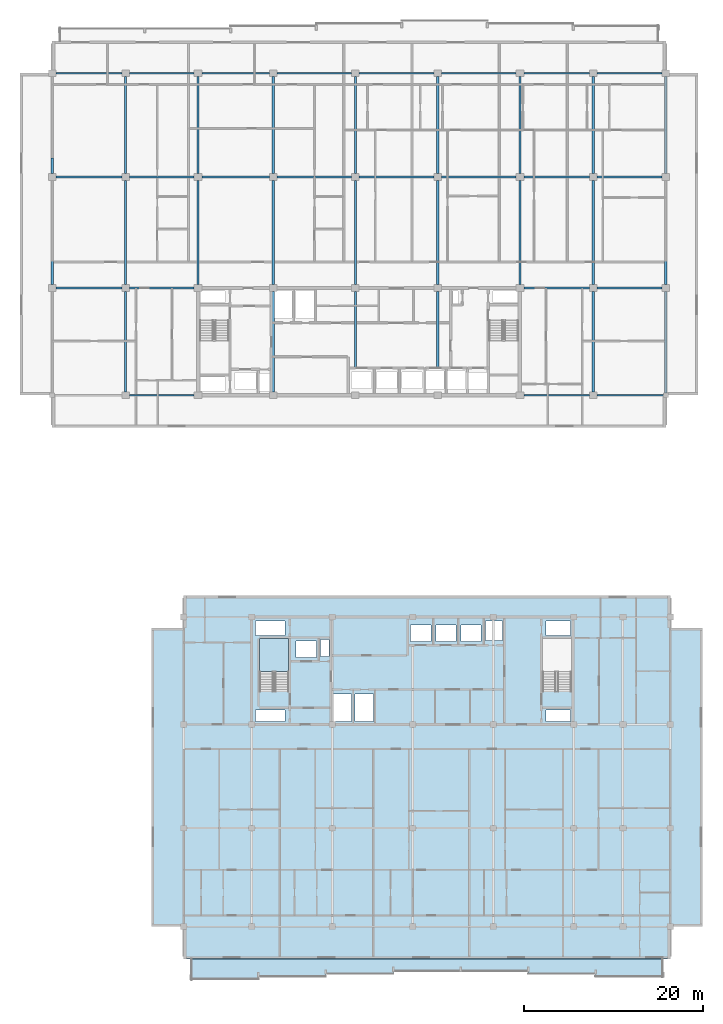
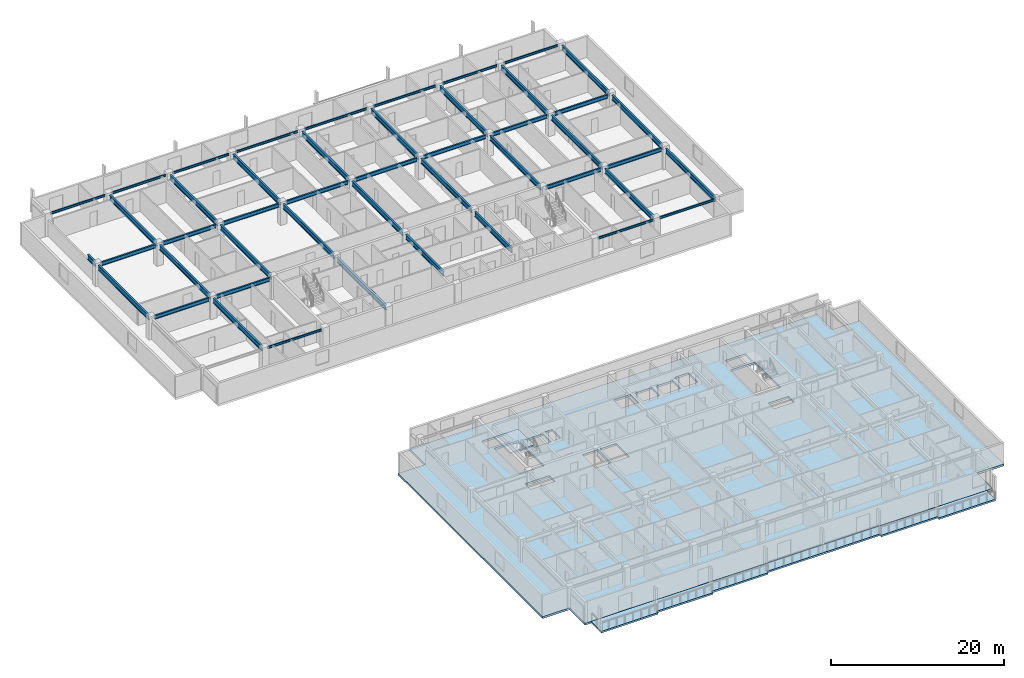
# One storey, part 2 of 21: 47 beams, 3 slabs, 1 element without a shape of its own.
"""IFC4 building model written with IfcOpenShell, lengths in metres."""

from ifc_helpers import new_model, si_unit, direction, frame, origin, origin_2d, place, context, subcontext, project, spatial, polyline, i_section, outline, extrude, material, layer, layer_set, material_profile, profile_set, type_object, element, aggregate, save


model = new_model("IFC4")

# Units and contexts
model_context = context("Model", 3, precision=1e-05, world=origin(), true_north=direction((0.0, 1.0)))
body_context = subcontext(model_context, "Body", "Model", "MODEL_VIEW")
ifc_project = project(units=[si_unit("LENGTHUNIT", "METRE"), si_unit("AREAUNIT", "SQUARE_METRE"), si_unit("VOLUMEUNIT", "CUBIC_METRE"), si_unit("PLANEANGLEUNIT", "RADIAN"), si_unit("MASSUNIT", "GRAM", prefix="KILO")], contexts=[model_context])

# Site, building, storey
site_placement = place(None, origin())
site = spatial("IfcSite", under=ifc_project, at=site_placement, CompositionType="ELEMENT")
building_placement = place(site_placement, origin())
building = spatial("IfcBuilding", under=site, at=building_placement, Name="Korimba Cascade Residences", CompositionType="ELEMENT")
storey_placement = place(building_placement, frame((0.0, 0.0, 175.10009765625)))
storey = spatial("IfcBuildingStorey", under=building, at=storey_placement, Name="L50", CompositionType="ELEMENT", Elevation=175.10009765625)

# Beams
ifc_material_1 = material(Name="Steel S355", Category="steel")
ifc_material_profile_1 = material_profile(ifc_material_1, i_section(OverallWidth=0.165771484375, OverallDepth=0.306640625, WebThickness=0.006591796875, FlangeThickness=0.01171875, FilletRadius=0.0087890625, at=origin_2d()), Name="Steel S355")
ifc_profile_set_1 = profile_set([ifc_material_profile_1], Name="Steel S355")
beam_type_1 = type_object("IfcBeamType", Name="BM-STL-UB305", PredefinedType="SPANDREL", material=ifc_profile_set_1)
beam_1_placement = place(storey_placement, frame((68.425048828125, 55.199951171875, 2.816650390625), z_axis=(1.0, 0.0, 0.0), x_axis=(0.0, 1.0, 0.0)))
element("IfcBeam", 1, at=beam_1_placement, inside=storey, type_object=beam_type_1, Name="L50 T1 E-W Girder Y1 Bay 2", PredefinedType="SPANDREL", context=body_context, shape_type="SweptSolid", body=[
    extrude(i_section(OverallWidth=0.165771484375, OverallDepth=0.306640625, WebThickness=0.006591796875, FlangeThickness=0.01171875, FilletRadius=0.0087890625, at=origin_2d()), origin(), (0.0, 0.0, 1.0), 7.25),
])
beam_2_placement = place(storey_placement, frame((112.52490234375, 55.199951171875, 2.816650390625), z_axis=(1.0, 0.0, 0.0), x_axis=(0.0, 1.0, 0.0)))
element("IfcBeam", 2, at=beam_2_placement, inside=storey, type_object=beam_type_1, Name="L50 T1 E-W Girder Y1 Bay 7", PredefinedType="SPANDREL", context=body_context, shape_type="SweptSolid", body=[
    extrude(i_section(OverallWidth=0.165771484375, OverallDepth=0.306640625, WebThickness=0.006591796875, FlangeThickness=0.01171875, FilletRadius=0.0087890625, at=origin_2d()), origin(), (0.0, 0.0, 1.0), 7.35009765625),
])
beam_3_placement = place(storey_placement, frame((120.72509765625, 55.199951171875, 2.816650390625), z_axis=(1.0, 0.0, 0.0), x_axis=(0.0, 1.0, 0.0)))
element("IfcBeam", 3, at=beam_3_placement, inside=storey, type_object=beam_type_1, Name="L50 T1 E-W Girder Y1 Bay 8", PredefinedType="SPANDREL", context=body_context, shape_type="SweptSolid", body=[
    extrude(i_section(OverallWidth=0.165771484375, OverallDepth=0.306640625, WebThickness=0.006591796875, FlangeThickness=0.01171875, FilletRadius=0.0087890625, at=origin_2d()), origin(), (0.0, 0.0, 1.0), 7.39990234375),
])
beam_4_placement = place(storey_placement, frame((60.22509765625, 91.199951171875, 2.816650390625), z_axis=(1.0, 0.0, 0.0), x_axis=(0.0, 1.0, 0.0)))
element("IfcBeam", 4, at=beam_4_placement, inside=storey, type_object=beam_type_1, Name="L50 T1 E-W Girder Y4 Bay 1", PredefinedType="SPANDREL", context=body_context, shape_type="SweptSolid", body=[
    extrude(i_section(OverallWidth=0.165771484375, OverallDepth=0.306640625, WebThickness=0.006591796875, FlangeThickness=0.01171875, FilletRadius=0.0087890625, at=origin_2d()), origin(), (0.0, 0.0, 1.0), 7.349853515625),
])
beam_5_placement = place(storey_placement, frame((68.425048828125, 91.199951171875, 2.816650390625), z_axis=(1.0, 0.0, 0.0), x_axis=(0.0, 1.0, 0.0)))
element("IfcBeam", 5, at=beam_5_placement, inside=storey, type_object=beam_type_1, Name="L50 T1 E-W Girder Y4 Bay 2", PredefinedType="SPANDREL", context=body_context, shape_type="SweptSolid", body=[
    extrude(i_section(OverallWidth=0.165771484375, OverallDepth=0.306640625, WebThickness=0.006591796875, FlangeThickness=0.01171875, FilletRadius=0.0087890625, at=origin_2d()), origin(), (0.0, 0.0, 1.0), 7.25),
])
beam_6_placement = place(storey_placement, frame((76.52490234375, 91.199951171875, 2.816650390625), z_axis=(1.0, 0.0, 0.0), x_axis=(0.0, 1.0, 0.0)))
element("IfcBeam", 6, at=beam_6_placement, inside=storey, type_object=beam_type_1, Name="L50 T1 E-W Girder Y4 Bay 3", PredefinedType="SPANDREL", context=body_context, shape_type="SweptSolid", body=[
    extrude(i_section(OverallWidth=0.165771484375, OverallDepth=0.306640625, WebThickness=0.006591796875, FlangeThickness=0.01171875, FilletRadius=0.0087890625, at=origin_2d()), origin(), (0.0, 0.0, 1.0), 7.550048828125),
])
beam_7_placement = place(storey_placement, frame((84.925048828125, 91.199951171875, 2.816650390625), z_axis=(1.0, 0.0, 0.0), x_axis=(0.0, 1.0, 0.0)))
element("IfcBeam", 7, at=beam_7_placement, inside=storey, type_object=beam_type_1, Name="L50 T1 E-W Girder Y4 Bay 4", PredefinedType="SPANDREL", context=body_context, shape_type="SweptSolid", body=[
    extrude(i_section(OverallWidth=0.165771484375, OverallDepth=0.306640625, WebThickness=0.006591796875, FlangeThickness=0.01171875, FilletRadius=0.0087890625, at=origin_2d()), origin(), (0.0, 0.0, 1.0), 8.349853515625),
])
for number, where, z_axis, x_axis, name in (
    (8, (94.125, 91.199951171875, 2.816650390625), (1.0, 0.0, 0.0), (0.0, 1.0, 0.0), "L50 T1 E-W Girder Y4 Bay 5"),
    (9, (103.324951171875, 91.199951171875, 2.816650390625), (1.0, 0.0, 0.0), (0.0, 1.0, 0.0), "L50 T1 E-W Girder Y4 Bay 6"),
):
    element("IfcBeam", number, at=place(storey_placement, frame(where, z_axis=z_axis, x_axis=x_axis)), inside=storey, type_object=beam_type_1, Name=name, PredefinedType="SPANDREL", context=body_context, shape_type="SweptSolid", body=[
        extrude(i_section(OverallWidth=0.165771484375, OverallDepth=0.306640625, WebThickness=0.006591796875, FlangeThickness=0.01171875, FilletRadius=0.0087890625, at=origin_2d()), origin(), (0.0, 0.0, 1.0), 8.35009765625),
    ])
beam_8_placement = place(storey_placement, frame((112.52490234375, 91.199951171875, 2.816650390625), z_axis=(1.0, 0.0, 0.0), x_axis=(0.0, 1.0, 0.0)))
element("IfcBeam", 10, at=beam_8_placement, inside=storey, type_object=beam_type_1, Name="L50 T1 E-W Girder Y4 Bay 7", PredefinedType="SPANDREL", context=body_context, shape_type="SweptSolid", body=[
    extrude(i_section(OverallWidth=0.165771484375, OverallDepth=0.306640625, WebThickness=0.006591796875, FlangeThickness=0.01171875, FilletRadius=0.0087890625, at=origin_2d()), origin(), (0.0, 0.0, 1.0), 7.35009765625),
])
beam_9_placement = place(storey_placement, frame((120.72509765625, 91.199951171875, 2.816650390625), z_axis=(1.0, 0.0, 0.0), x_axis=(0.0, 1.0, 0.0)))
element("IfcBeam", 11, at=beam_9_placement, inside=storey, type_object=beam_type_1, Name="L50 T1 E-W Girder Y4 Bay 8", PredefinedType="SPANDREL", context=body_context, shape_type="SweptSolid", body=[
    extrude(i_section(OverallWidth=0.165771484375, OverallDepth=0.306640625, WebThickness=0.006591796875, FlangeThickness=0.01171875, FilletRadius=0.0087890625, at=origin_2d()), origin(), (0.0, 0.0, 1.0), 7.25),
])
ifc_material_profile_2 = material_profile(ifc_material_1, i_section(OverallWidth=0.2099609375, OverallDepth=0.53662109375, WebThickness=0.0107421875, FlangeThickness=0.017333984375, FilletRadius=0.0126953125, at=origin_2d()), Name="Steel S355")
ifc_profile_set_2 = profile_set([ifc_material_profile_2], Name="Steel S355")
beam_type_2 = type_object("IfcBeamType", Name="BM-STL-UB533", PredefinedType="BEAM", material=ifc_profile_set_2)
beam_10_placement = place(storey_placement, frame((60.22509765625, 67.199951171875, 2.701416015625), z_axis=(1.0, 0.0, 0.0), x_axis=(0.0, 1.0, 0.0)))
element("IfcBeam", 12, at=beam_10_placement, inside=storey, type_object=beam_type_2, Name="L50 T1 E-W Girder Y2 Bay 1", PredefinedType="BEAM", context=body_context, shape_type="SweptSolid", body=[
    extrude(i_section(OverallWidth=0.2099609375, OverallDepth=0.53662109375, WebThickness=0.0107421875, FlangeThickness=0.017333984375, FilletRadius=0.0126953125, at=origin_2d()), origin(), (0.0, 0.0, 1.0), 7.349853515625),
])
beam_11_placement = place(storey_placement, frame((68.425048828125, 67.199951171875, 2.701416015625), z_axis=(1.0, 0.0, 0.0), x_axis=(0.0, 1.0, 0.0)))
element("IfcBeam", 13, at=beam_11_placement, inside=storey, type_object=beam_type_2, Name="L50 T1 E-W Girder Y2 Bay 2", PredefinedType="BEAM", context=body_context, shape_type="SweptSolid", body=[
    extrude(i_section(OverallWidth=0.2099609375, OverallDepth=0.53662109375, WebThickness=0.0107421875, FlangeThickness=0.017333984375, FilletRadius=0.0126953125, at=origin_2d()), origin(), (0.0, 0.0, 1.0), 7.25),
])
beam_12_placement = place(storey_placement, frame((112.52490234375, 67.199951171875, 2.701416015625), z_axis=(1.0, 0.0, 0.0), x_axis=(0.0, 1.0, 0.0)))
element("IfcBeam", 14, at=beam_12_placement, inside=storey, type_object=beam_type_2, Name="L50 T1 E-W Girder Y2 Bay 7", PredefinedType="BEAM", context=body_context, shape_type="SweptSolid", body=[
    extrude(i_section(OverallWidth=0.2099609375, OverallDepth=0.53662109375, WebThickness=0.0107421875, FlangeThickness=0.017333984375, FilletRadius=0.0126953125, at=origin_2d()), origin(), (0.0, 0.0, 1.0), 7.35009765625),
])
beam_13_placement = place(storey_placement, frame((120.72509765625, 67.199951171875, 2.701416015625), z_axis=(1.0, 0.0, 0.0), x_axis=(0.0, 1.0, 0.0)))
element("IfcBeam", 15, at=beam_13_placement, inside=storey, type_object=beam_type_2, Name="L50 T1 E-W Girder Y2 Bay 8", PredefinedType="BEAM", context=body_context, shape_type="SweptSolid", body=[
    extrude(i_section(OverallWidth=0.2099609375, OverallDepth=0.53662109375, WebThickness=0.0107421875, FlangeThickness=0.017333984375, FilletRadius=0.0126953125, at=origin_2d()), origin(), (0.0, 0.0, 1.0), 7.25),
])
beam_14_placement = place(storey_placement, frame((60.22509765625, 79.60009765625, 2.701416015625), z_axis=(1.0, 0.0, 0.0), x_axis=(0.0, 1.0, 0.0)))
element("IfcBeam", 16, at=beam_14_placement, inside=storey, type_object=beam_type_2, Name="L50 T1 E-W Girder Y3 Bay 1", PredefinedType="BEAM", context=body_context, shape_type="SweptSolid", body=[
    extrude(i_section(OverallWidth=0.2099609375, OverallDepth=0.53662109375, WebThickness=0.0107421875, FlangeThickness=0.017333984375, FilletRadius=0.0126953125, at=origin_2d()), origin(), (0.0, 0.0, 1.0), 7.349853515625),
])
beam_15_placement = place(storey_placement, frame((68.425048828125, 79.60009765625, 2.701416015625), z_axis=(1.0, 0.0, 0.0), x_axis=(0.0, 1.0, 0.0)))
element("IfcBeam", 17, at=beam_15_placement, inside=storey, type_object=beam_type_2, Name="L50 T1 E-W Girder Y3 Bay 2", PredefinedType="BEAM", context=body_context, shape_type="SweptSolid", body=[
    extrude(i_section(OverallWidth=0.2099609375, OverallDepth=0.53662109375, WebThickness=0.0107421875, FlangeThickness=0.017333984375, FilletRadius=0.0126953125, at=origin_2d()), origin(), (0.0, 0.0, 1.0), 7.25),
])
beam_16_placement = place(storey_placement, frame((76.52490234375, 79.60009765625, 2.701416015625), z_axis=(1.0, 0.0, 0.0), x_axis=(0.0, 1.0, 0.0)))
element("IfcBeam", 18, at=beam_16_placement, inside=storey, type_object=beam_type_2, Name="L50 T1 E-W Girder Y3 Bay 3", PredefinedType="BEAM", context=body_context, shape_type="SweptSolid", body=[
    extrude(i_section(OverallWidth=0.2099609375, OverallDepth=0.53662109375, WebThickness=0.0107421875, FlangeThickness=0.017333984375, FilletRadius=0.0126953125, at=origin_2d()), origin(), (0.0, 0.0, 1.0), 7.550048828125),
])
beam_17_placement = place(storey_placement, frame((84.925048828125, 79.60009765625, 2.701416015625), z_axis=(1.0, 0.0, 0.0), x_axis=(0.0, 1.0, 0.0)))
element("IfcBeam", 19, at=beam_17_placement, inside=storey, type_object=beam_type_2, Name="L50 T1 E-W Girder Y3 Bay 4", PredefinedType="BEAM", context=body_context, shape_type="SweptSolid", body=[
    extrude(i_section(OverallWidth=0.2099609375, OverallDepth=0.53662109375, WebThickness=0.0107421875, FlangeThickness=0.017333984375, FilletRadius=0.0126953125, at=origin_2d()), origin(), (0.0, 0.0, 1.0), 8.349853515625),
])
for number, where, z_axis, x_axis, name in (
    (20, (94.125, 79.60009765625, 2.701416015625), (1.0, 0.0, 0.0), (0.0, 1.0, 0.0), "L50 T1 E-W Girder Y3 Bay 5"),
    (21, (103.324951171875, 79.60009765625, 2.701416015625), (1.0, 0.0, 0.0), (0.0, 1.0, 0.0), "L50 T1 E-W Girder Y3 Bay 6"),
):
    element("IfcBeam", number, at=place(storey_placement, frame(where, z_axis=z_axis, x_axis=x_axis)), inside=storey, type_object=beam_type_2, Name=name, PredefinedType="BEAM", context=body_context, shape_type="SweptSolid", body=[
        extrude(i_section(OverallWidth=0.2099609375, OverallDepth=0.53662109375, WebThickness=0.0107421875, FlangeThickness=0.017333984375, FilletRadius=0.0126953125, at=origin_2d()), origin(), (0.0, 0.0, 1.0), 8.35009765625),
    ])
beam_18_placement = place(storey_placement, frame((112.52490234375, 79.60009765625, 2.701416015625), z_axis=(1.0, 0.0, 0.0), x_axis=(0.0, 1.0, 0.0)))
element("IfcBeam", 22, at=beam_18_placement, inside=storey, type_object=beam_type_2, Name="L50 T1 E-W Girder Y3 Bay 7", PredefinedType="BEAM", context=body_context, shape_type="SweptSolid", body=[
    extrude(i_section(OverallWidth=0.2099609375, OverallDepth=0.53662109375, WebThickness=0.0107421875, FlangeThickness=0.017333984375, FilletRadius=0.0126953125, at=origin_2d()), origin(), (0.0, 0.0, 1.0), 7.35009765625),
])
beam_19_placement = place(storey_placement, frame((120.72509765625, 79.60009765625, 2.701416015625), z_axis=(1.0, 0.0, 0.0), x_axis=(0.0, 1.0, 0.0)))
element("IfcBeam", 23, at=beam_19_placement, inside=storey, type_object=beam_type_2, Name="L50 T1 E-W Girder Y3 Bay 8", PredefinedType="BEAM", context=body_context, shape_type="SweptSolid", body=[
    extrude(i_section(OverallWidth=0.2099609375, OverallDepth=0.53662109375, WebThickness=0.0107421875, FlangeThickness=0.017333984375, FilletRadius=0.0126953125, at=origin_2d()), origin(), (0.0, 0.0, 1.0), 7.25),
])
ifc_material_profile_3 = material_profile(ifc_material_1, i_section(OverallWidth=0.255859375, OverallDepth=0.69287109375, WebThickness=0.014404296875, FlangeThickness=0.023681640625, FilletRadius=0.01513671875, at=origin_2d()), Name="Steel S355")
ifc_profile_set_3 = profile_set([ifc_material_profile_3], Name="Steel S355")
beam_type_3 = type_object("IfcBeamType", Name="BM-STL-UB686", PredefinedType="BEAM", material=ifc_profile_set_3)
beam_20_placement = place(storey_placement, frame((59.800048828125, 67.574951171875, 2.623291015625), z_axis=(0.0, 1.0, 0.0), x_axis=(-1.0, 0.0, 0.0)))
element("IfcBeam", 24, at=beam_20_placement, inside=storey, type_object=beam_type_3, Name="L50 T1 N-S Girder X1 Seg 2", PredefinedType="BEAM", context=body_context, shape_type="SweptSolid", body=[
    extrude(i_section(OverallWidth=0.255859375, OverallDepth=0.69287109375, WebThickness=0.014404296875, FlangeThickness=0.023681640625, FilletRadius=0.01513671875, at=origin_2d()), origin(), (0.0, 0.0, 1.0), 11.650146484375),
])
beam_21_placement = place(storey_placement, frame((59.800048828125, 79.97509765625, 2.623291015625), z_axis=(0.0, 1.0, 0.0), x_axis=(-1.0, 0.0, 0.0)))
element("IfcBeam", 25, at=beam_21_placement, inside=storey, type_object=beam_type_3, Name="L50 T1 N-S Girder X1 Seg 3", PredefinedType="BEAM", context=body_context, shape_type="SweptSolid", body=[
    extrude(i_section(OverallWidth=0.255859375, OverallDepth=0.69287109375, WebThickness=0.014404296875, FlangeThickness=0.023681640625, FilletRadius=0.01513671875, at=origin_2d()), origin(), (0.0, 0.0, 1.0), 1.724853515625),
])
beam_22_placement = place(storey_placement, frame((68.0, 55.574951171875, 2.623291015625), z_axis=(0.0, 1.0, 0.0), x_axis=(-1.0, 0.0, 0.0)))
element("IfcBeam", 26, at=beam_22_placement, inside=storey, type_object=beam_type_3, Name="L50 T1 N-S Girder X2 Seg 1", PredefinedType="BEAM", context=body_context, shape_type="SweptSolid", body=[
    extrude(i_section(OverallWidth=0.255859375, OverallDepth=0.69287109375, WebThickness=0.014404296875, FlangeThickness=0.023681640625, FilletRadius=0.01513671875, at=origin_2d()), origin(), (0.0, 0.0, 1.0), 11.25),
])
beam_23_placement = place(storey_placement, frame((68.0, 67.574951171875, 2.623291015625), z_axis=(0.0, 1.0, 0.0), x_axis=(-1.0, 0.0, 0.0)))
element("IfcBeam", 27, at=beam_23_placement, inside=storey, type_object=beam_type_3, Name="L50 T1 N-S Girder X2 Seg 2", PredefinedType="BEAM", context=body_context, shape_type="SweptSolid", body=[
    extrude(i_section(OverallWidth=0.255859375, OverallDepth=0.69287109375, WebThickness=0.014404296875, FlangeThickness=0.023681640625, FilletRadius=0.01513671875, at=origin_2d()), origin(), (0.0, 0.0, 1.0), 11.650146484375),
])
beam_24_placement = place(storey_placement, frame((68.0, 79.97509765625, 2.623291015625), z_axis=(0.0, 1.0, 0.0), x_axis=(-1.0, 0.0, 0.0)))
element("IfcBeam", 28, at=beam_24_placement, inside=storey, type_object=beam_type_3, Name="L50 T1 N-S Girder X2 Seg 3", PredefinedType="BEAM", context=body_context, shape_type="SweptSolid", body=[
    extrude(i_section(OverallWidth=0.255859375, OverallDepth=0.69287109375, WebThickness=0.014404296875, FlangeThickness=0.023681640625, FilletRadius=0.01513671875, at=origin_2d()), origin(), (0.0, 0.0, 1.0), 10.849853515625),
])
beam_25_placement = place(storey_placement, frame((76.10009765625, 67.574951171875, 2.623291015625), z_axis=(0.0, 1.0, 0.0), x_axis=(-1.0, 0.0, 0.0)))
element("IfcBeam", 29, at=beam_25_placement, inside=storey, type_object=beam_type_3, Name="L50 T1 N-S Girder X3 Seg 2", PredefinedType="BEAM", context=body_context, shape_type="SweptSolid", body=[
    extrude(i_section(OverallWidth=0.255859375, OverallDepth=0.69287109375, WebThickness=0.014404296875, FlangeThickness=0.023681640625, FilletRadius=0.01513671875, at=origin_2d()), origin(), (0.0, 0.0, 1.0), 11.650146484375),
])
beam_26_placement = place(storey_placement, frame((76.10009765625, 79.97509765625, 2.623291015625), z_axis=(0.0, 1.0, 0.0), x_axis=(-1.0, 0.0, 0.0)))
element("IfcBeam", 30, at=beam_26_placement, inside=storey, type_object=beam_type_3, Name="L50 T1 N-S Girder X3 Seg 3", PredefinedType="BEAM", context=body_context, shape_type="SweptSolid", body=[
    extrude(i_section(OverallWidth=0.255859375, OverallDepth=0.69287109375, WebThickness=0.014404296875, FlangeThickness=0.023681640625, FilletRadius=0.01513671875, at=origin_2d()), origin(), (0.0, 0.0, 1.0), 10.849853515625),
])
beam_27_placement = place(storey_placement, frame((84.5, 55.574951171875, 2.623291015625), z_axis=(0.0, 1.0, 0.0), x_axis=(-1.0, 0.0, 0.0)))
element("IfcBeam", 31, at=beam_27_placement, inside=storey, type_object=beam_type_3, Name="L50 T1 N-S Girder X4 Seg 1", PredefinedType="BEAM", context=body_context, shape_type="SweptSolid", body=[
    extrude(i_section(OverallWidth=0.255859375, OverallDepth=0.69287109375, WebThickness=0.014404296875, FlangeThickness=0.023681640625, FilletRadius=0.01513671875, at=origin_2d()), origin(), (0.0, 0.0, 1.0), 11.25),
])
beam_28_placement = place(storey_placement, frame((84.5, 67.574951171875, 2.623291015625), z_axis=(0.0, 1.0, 0.0), x_axis=(-1.0, 0.0, 0.0)))
element("IfcBeam", 32, at=beam_28_placement, inside=storey, type_object=beam_type_3, Name="L50 T1 N-S Girder X4 Seg 2", PredefinedType="BEAM", context=body_context, shape_type="SweptSolid", body=[
    extrude(i_section(OverallWidth=0.255859375, OverallDepth=0.69287109375, WebThickness=0.014404296875, FlangeThickness=0.023681640625, FilletRadius=0.01513671875, at=origin_2d()), origin(), (0.0, 0.0, 1.0), 11.650146484375),
])
beam_29_placement = place(storey_placement, frame((84.5, 79.97509765625, 2.623291015625), z_axis=(0.0, 1.0, 0.0), x_axis=(-1.0, 0.0, 0.0)))
element("IfcBeam", 33, at=beam_29_placement, inside=storey, type_object=beam_type_3, Name="L50 T1 N-S Girder X4 Seg 3", PredefinedType="BEAM", context=body_context, shape_type="SweptSolid", body=[
    extrude(i_section(OverallWidth=0.255859375, OverallDepth=0.69287109375, WebThickness=0.014404296875, FlangeThickness=0.023681640625, FilletRadius=0.01513671875, at=origin_2d()), origin(), (0.0, 0.0, 1.0), 10.849853515625),
])
beam_30_placement = place(storey_placement, frame((93.699951171875, 58.159912109375, 2.623291015625), z_axis=(0.0, 1.0, 0.0), x_axis=(-1.0, 0.0, 0.0)))
element("IfcBeam", 34, at=beam_30_placement, inside=storey, type_object=beam_type_3, Name="L50 T1 N-S Girder X5 Seg 1", PredefinedType="BEAM", context=body_context, shape_type="SweptSolid", body=[
    extrude(i_section(OverallWidth=0.255859375, OverallDepth=0.69287109375, WebThickness=0.014404296875, FlangeThickness=0.023681640625, FilletRadius=0.01513671875, at=origin_2d()), origin(), (0.0, 0.0, 1.0), 8.6650390625),
])
beam_31_placement = place(storey_placement, frame((93.699951171875, 67.574951171875, 2.623291015625), z_axis=(0.0, 1.0, 0.0), x_axis=(-1.0, 0.0, 0.0)))
element("IfcBeam", 35, at=beam_31_placement, inside=storey, type_object=beam_type_3, Name="L50 T1 N-S Girder X5 Seg 2", PredefinedType="BEAM", context=body_context, shape_type="SweptSolid", body=[
    extrude(i_section(OverallWidth=0.255859375, OverallDepth=0.69287109375, WebThickness=0.014404296875, FlangeThickness=0.023681640625, FilletRadius=0.01513671875, at=origin_2d()), origin(), (0.0, 0.0, 1.0), 11.650146484375),
])
beam_32_placement = place(storey_placement, frame((93.699951171875, 79.97509765625, 2.623291015625), z_axis=(0.0, 1.0, 0.0), x_axis=(-1.0, 0.0, 0.0)))
element("IfcBeam", 36, at=beam_32_placement, inside=storey, type_object=beam_type_3, Name="L50 T1 N-S Girder X5 Seg 3", PredefinedType="BEAM", context=body_context, shape_type="SweptSolid", body=[
    extrude(i_section(OverallWidth=0.255859375, OverallDepth=0.69287109375, WebThickness=0.014404296875, FlangeThickness=0.023681640625, FilletRadius=0.01513671875, at=origin_2d()), origin(), (0.0, 0.0, 1.0), 10.849853515625),
])
beam_33_placement = place(storey_placement, frame((102.89990234375, 58.260009765625, 2.623291015625), z_axis=(0.0, 1.0, 0.0), x_axis=(-1.0, 0.0, 0.0)))
element("IfcBeam", 37, at=beam_33_placement, inside=storey, type_object=beam_type_3, Name="L50 T1 N-S Girder X6 Seg 1", PredefinedType="BEAM", context=body_context, shape_type="SweptSolid", body=[
    extrude(i_section(OverallWidth=0.255859375, OverallDepth=0.69287109375, WebThickness=0.014404296875, FlangeThickness=0.023681640625, FilletRadius=0.01513671875, at=origin_2d()), origin(), (0.0, 0.0, 1.0), 8.56494140625),
])
beam_34_placement = place(storey_placement, frame((102.89990234375, 67.574951171875, 2.623291015625), z_axis=(0.0, 1.0, 0.0), x_axis=(-1.0, 0.0, 0.0)))
element("IfcBeam", 38, at=beam_34_placement, inside=storey, type_object=beam_type_3, Name="L50 T1 N-S Girder X6 Seg 2", PredefinedType="BEAM", context=body_context, shape_type="SweptSolid", body=[
    extrude(i_section(OverallWidth=0.255859375, OverallDepth=0.69287109375, WebThickness=0.014404296875, FlangeThickness=0.023681640625, FilletRadius=0.01513671875, at=origin_2d()), origin(), (0.0, 0.0, 1.0), 11.650146484375),
])
beam_35_placement = place(storey_placement, frame((102.89990234375, 79.97509765625, 2.623291015625), z_axis=(0.0, 1.0, 0.0), x_axis=(-1.0, 0.0, 0.0)))
element("IfcBeam", 39, at=beam_35_placement, inside=storey, type_object=beam_type_3, Name="L50 T1 N-S Girder X6 Seg 3", PredefinedType="BEAM", context=body_context, shape_type="SweptSolid", body=[
    extrude(i_section(OverallWidth=0.255859375, OverallDepth=0.69287109375, WebThickness=0.014404296875, FlangeThickness=0.023681640625, FilletRadius=0.01513671875, at=origin_2d()), origin(), (0.0, 0.0, 1.0), 10.849853515625),
])
beam_36_placement = place(storey_placement, frame((112.10009765625, 67.574951171875, 2.623291015625), z_axis=(0.0, 1.0, 0.0), x_axis=(-1.0, 0.0, 0.0)))
element("IfcBeam", 40, at=beam_36_placement, inside=storey, type_object=beam_type_3, Name="L50 T1 N-S Girder X7 Seg 2", PredefinedType="BEAM", context=body_context, shape_type="SweptSolid", body=[
    extrude(i_section(OverallWidth=0.255859375, OverallDepth=0.69287109375, WebThickness=0.014404296875, FlangeThickness=0.023681640625, FilletRadius=0.01513671875, at=origin_2d()), origin(), (0.0, 0.0, 1.0), 11.650146484375),
])
beam_37_placement = place(storey_placement, frame((112.10009765625, 79.97509765625, 2.623291015625), z_axis=(0.0, 1.0, 0.0), x_axis=(-1.0, 0.0, 0.0)))
element("IfcBeam", 41, at=beam_37_placement, inside=storey, type_object=beam_type_3, Name="L50 T1 N-S Girder X7 Seg 3", PredefinedType="BEAM", context=body_context, shape_type="SweptSolid", body=[
    extrude(i_section(OverallWidth=0.255859375, OverallDepth=0.69287109375, WebThickness=0.014404296875, FlangeThickness=0.023681640625, FilletRadius=0.01513671875, at=origin_2d()), origin(), (0.0, 0.0, 1.0), 10.849853515625),
])
beam_38_placement = place(storey_placement, frame((120.300048828125, 55.574951171875, 2.623291015625), z_axis=(0.0, 1.0, 0.0), x_axis=(-1.0, 0.0, 0.0)))
element("IfcBeam", 42, at=beam_38_placement, inside=storey, type_object=beam_type_3, Name="L50 T1 N-S Girder X8 Seg 1", PredefinedType="BEAM", context=body_context, shape_type="SweptSolid", body=[
    extrude(i_section(OverallWidth=0.255859375, OverallDepth=0.69287109375, WebThickness=0.014404296875, FlangeThickness=0.023681640625, FilletRadius=0.01513671875, at=origin_2d()), origin(), (0.0, 0.0, 1.0), 11.25),
])
beam_39_placement = place(storey_placement, frame((120.300048828125, 67.574951171875, 2.623291015625), z_axis=(0.0, 1.0, 0.0), x_axis=(-1.0, 0.0, 0.0)))
element("IfcBeam", 43, at=beam_39_placement, inside=storey, type_object=beam_type_3, Name="L50 T1 N-S Girder X8 Seg 2", PredefinedType="BEAM", context=body_context, shape_type="SweptSolid", body=[
    extrude(i_section(OverallWidth=0.255859375, OverallDepth=0.69287109375, WebThickness=0.014404296875, FlangeThickness=0.023681640625, FilletRadius=0.01513671875, at=origin_2d()), origin(), (0.0, 0.0, 1.0), 11.650146484375),
])
beam_40_placement = place(storey_placement, frame((120.300048828125, 79.97509765625, 2.623291015625), z_axis=(0.0, 1.0, 0.0), x_axis=(-1.0, 0.0, 0.0)))
element("IfcBeam", 44, at=beam_40_placement, inside=storey, type_object=beam_type_3, Name="L50 T1 N-S Girder X8 Seg 3", PredefinedType="BEAM", context=body_context, shape_type="SweptSolid", body=[
    extrude(i_section(OverallWidth=0.255859375, OverallDepth=0.69287109375, WebThickness=0.014404296875, FlangeThickness=0.023681640625, FilletRadius=0.01513671875, at=origin_2d()), origin(), (0.0, 0.0, 1.0), 10.849853515625),
])
beam_41_placement = place(storey_placement, frame((128.39990234375, 55.425048828125, 2.623291015625), z_axis=(0.0, 1.0, 0.0), x_axis=(-1.0, 0.0, 0.0)))
element("IfcBeam", 45, at=beam_41_placement, inside=storey, type_object=beam_type_3, Name="L50 T1 N-S Girder X9 Seg 1", PredefinedType="BEAM", context=body_context, shape_type="SweptSolid", body=[
    extrude(i_section(OverallWidth=0.255859375, OverallDepth=0.69287109375, WebThickness=0.014404296875, FlangeThickness=0.023681640625, FilletRadius=0.01513671875, at=origin_2d()), origin(), (0.0, 0.0, 1.0), 11.39990234375),
])
beam_42_placement = place(storey_placement, frame((128.39990234375, 67.574951171875, 2.623291015625), z_axis=(0.0, 1.0, 0.0), x_axis=(-1.0, 0.0, 0.0)))
element("IfcBeam", 46, at=beam_42_placement, inside=storey, type_object=beam_type_3, Name="L50 T1 N-S Girder X9 Seg 2", PredefinedType="BEAM", context=body_context, shape_type="SweptSolid", body=[
    extrude(i_section(OverallWidth=0.255859375, OverallDepth=0.69287109375, WebThickness=0.014404296875, FlangeThickness=0.023681640625, FilletRadius=0.01513671875, at=origin_2d()), origin(), (0.0, 0.0, 1.0), 11.650146484375),
])
beam_43_placement = place(storey_placement, frame((128.39990234375, 79.97509765625, 2.623291015625), z_axis=(0.0, 1.0, 0.0), x_axis=(-1.0, 0.0, 0.0)))
element("IfcBeam", 47, at=beam_43_placement, inside=storey, type_object=beam_type_3, Name="L50 T1 N-S Girder X9 Seg 3", PredefinedType="BEAM", context=body_context, shape_type="SweptSolid", body=[
    extrude(i_section(OverallWidth=0.255859375, OverallDepth=0.69287109375, WebThickness=0.014404296875, FlangeThickness=0.023681640625, FilletRadius=0.01513671875, at=origin_2d()), origin(), (0.0, 0.0, 1.0), 10.849853515625),
])

# Stair, slab
ifc_material_2 = material(Name="Concrete C50/60", Category="concrete")
stair_type = type_object("IfcStairType", Name="STR-E1-18R-1806", PredefinedType="HALF_TURN_STAIR", material=ifc_material_2)
stair_placement = place(storey_placement, origin())
stair = element("IfcStair", 48, at=stair_placement, inside=storey, type_object=stair_type, Name="L50 Tower 2 West Fire Stair ST-E1", PredefinedType="HALF_TURN_STAIR")
ifc_layer_1 = layer(ifc_material_2, 0.199951171875)
ifc_layer_set_1 = layer_set([ifc_layer_1], Name="Concrete C50/60")
slab_type_1 = type_object("IfcSlabType", Name="SLB-LND-220", PredefinedType="LANDING", material=ifc_layer_set_1)
slab_1_placement = place(storey_placement, frame((0.0, 0.0, 1.4248046875)))
slab_1 = element("IfcSlab", 49, at=slab_1_placement, type_object=slab_type_1, Name="ST-E1 landing 1", PredefinedType="LANDING", context=body_context, shape_type="SweptSolid", body=[
    extrude(outline(polyline([(86.239990234375, 24.2900390625), (86.239990234375, 28.0), (83.0, 28.0), (83.0, 24.2900390625), (86.239990234375, 24.2900390625)])), origin(), (0.0, 0.0, 1.0), 0.2001953125),
])
aggregate(stair, [slab_1])

# Slabs
ifc_material_3 = material(Name="Precast concrete C40/50", Category="concrete")
ifc_layer_2 = layer(ifc_material_3, 0.239990234375)
ifc_layer_set_2 = layer_set([ifc_layer_2], Name="Precast concrete C40/50")
slab_type_2 = type_object("IfcSlabType", Name="SLB-LOG-240", PredefinedType="FLOOR", material=ifc_layer_set_2)
slab_2_placement = place(storey_placement, frame((0.0, 0.0, -0.239990234375)))
element("IfcSlab", 50, at=slab_2_placement, inside=storey, type_object=slab_type_2, Name="L50 Tower 2 South Loggia Slab", PredefinedType="FLOOR", context=body_context, shape_type="SweptSolid", body=[
    extrude(outline(polyline([(75.300048828125, -10.14990234375), (82.843017578125, -10.14990234375), (82.843017578125, -9.85009765625), (90.3857421875, -9.85009765625), (90.3857421875, -9.550048828125), (97.9287109375, -9.550048828125), (97.9287109375, -9.25), (113.014404296875, -9.25), (113.014404296875, -9.550048828125), (120.55712890625, -9.550048828125), (120.55712890625, -9.85009765625), (128.10009765625, -9.85009765625), (128.10009765625, -7.800048828125), (75.300048828125, -7.800048828125), (75.300048828125, -10.14990234375)])), origin(), (0.0, 0.0, 1.0), 0.239990234375),
])
ifc_layer_3 = layer(ifc_material_2, 0.280029296875)
ifc_layer_set_3 = layer_set([ifc_layer_3], Name="Concrete C50/60")
slab_type_3 = type_object("IfcSlabType", Name="SLB-TYP-280", PredefinedType="FLOOR", material=ifc_layer_set_3)
slab_3_placement = place(storey_placement, frame((0.0, 0.0, -0.280029296875)))
element("IfcSlab", 51, at=slab_3_placement, inside=storey, type_object=slab_type_3, Name="L50 Tower 2 Floor Slab", PredefinedType="FLOOR", context=body_context, shape_type="SweptSolid", body=[
    extrude(outline(polyline([(74.5, -7.800048828125), (128.89990234375, -7.800048828125), (128.89990234375, -4.199951171875), (132.5, -4.199951171875), (132.5, 29.199951171875), (128.89990234375, 29.199951171875), (128.89990234375, 32.800048828125), (74.5, 32.800048828125), (74.5, 29.199951171875), (70.89990234375, 29.199951171875), (70.89990234375, -4.199951171875), (74.5, -4.199951171875), (74.5, -7.800048828125)]), holes=[polyline([(86.239990234375, 22.0849609375), (86.239990234375, 28.0), (83.0, 28.0), (83.0, 22.0849609375), (86.239990234375, 22.0849609375)]), polyline([(117.840087890625, 22.0849609375), (117.840087890625, 28.0), (114.60009765625, 28.0), (114.60009765625, 22.0849609375), (117.840087890625, 22.0849609375)]), polyline([(87.030029296875, 25.8798828125), (89.3701171875, 25.8798828125), (89.3701171875, 27.719970703125), (87.030029296875, 27.719970703125), (87.030029296875, 25.8798828125)]), polyline([(99.8798828125, 27.679931640625), (102.1201171875, 27.679931640625), (102.1201171875, 29.52001953125), (99.8798828125, 29.52001953125), (99.8798828125, 27.679931640625)]), polyline([(102.679931640625, 27.679931640625), (104.919921875, 27.679931640625), (104.919921875, 29.52001953125), (102.679931640625, 29.52001953125), (102.679931640625, 27.679931640625)]), polyline([(105.47998046875, 27.679931640625), (107.719970703125, 27.679931640625), (107.719970703125, 29.52001953125), (105.47998046875, 29.52001953125), (105.47998046875, 27.679931640625)]), polyline([(89.780029296875, 25.97998046875), (90.719970703125, 25.97998046875), (90.719970703125, 27.919921875), (89.780029296875, 27.919921875), (89.780029296875, 25.97998046875)]), polyline([(82.530029296875, 18.72998046875), (85.800048828125, 18.72998046875), (85.800048828125, 20.0400390625), (82.530029296875, 20.0400390625), (82.530029296875, 18.72998046875)]), polyline([(82.530029296875, 28.360107421875), (85.800048828125, 28.360107421875), (85.800048828125, 29.969970703125), (82.530029296875, 29.969970703125), (82.530029296875, 28.360107421875)]), polyline([(108.22998046875, 27.780029296875), (110.1201171875, 27.780029296875), (110.1201171875, 29.969970703125), (108.22998046875, 29.969970703125), (108.22998046875, 27.780029296875)]), polyline([(91.22998046875, 18.72998046875), (93.27001953125, 18.72998046875), (93.27001953125, 21.780029296875), (91.22998046875, 21.780029296875), (91.22998046875, 18.72998046875)]), polyline([(93.6298828125, 18.72998046875), (95.719970703125, 18.72998046875), (95.719970703125, 21.780029296875), (93.6298828125, 21.780029296875), (93.6298828125, 18.72998046875)]), polyline([(115.02001953125, 18.72998046875), (117.739990234375, 18.72998046875), (117.739990234375, 20.0400390625), (115.02001953125, 20.0400390625), (115.02001953125, 18.72998046875)]), polyline([(115.02001953125, 28.360107421875), (117.739990234375, 28.360107421875), (117.739990234375, 29.969970703125), (115.02001953125, 29.969970703125), (115.02001953125, 28.360107421875)])]), origin(), (0.0, 0.0, 1.0), 0.280029296875),
])

save(model, "model.ifc")
